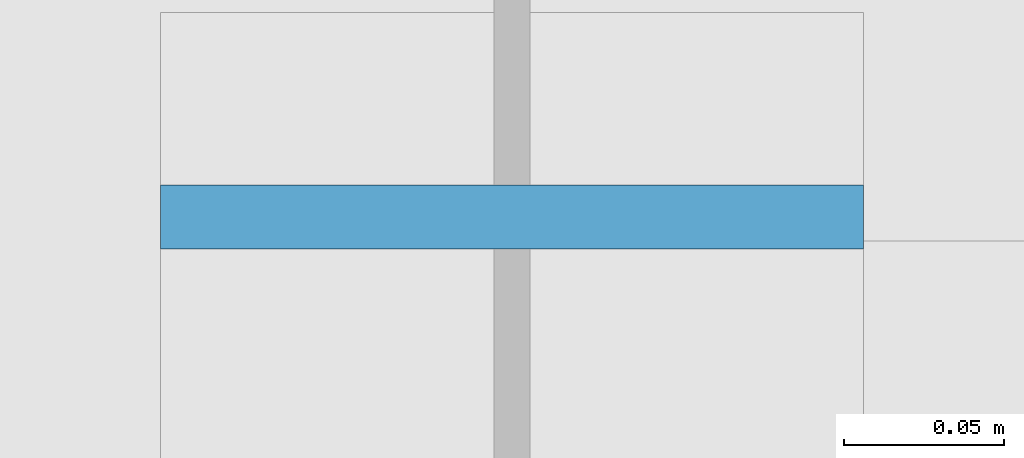
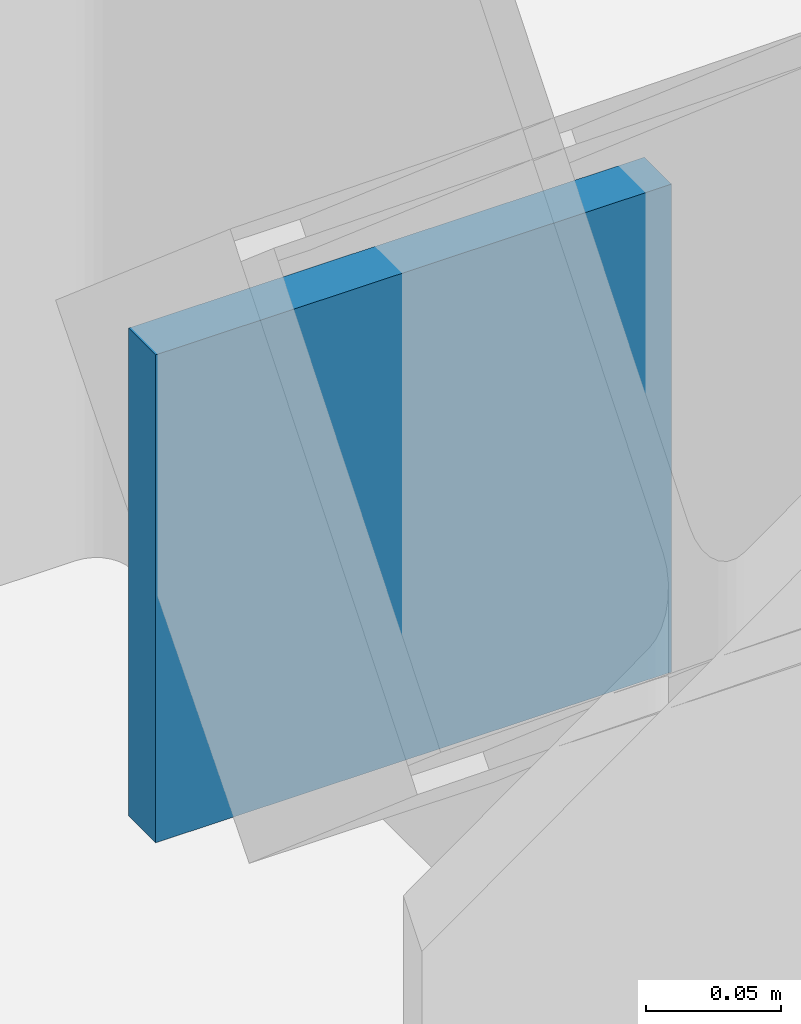
# One storey, part 64 of 85: 1 plate.
"""IFC4 building model written with IfcOpenShell, lengths in metres."""

from ifc_helpers import new_model, si_unit, derived_unit, direction, frame, origin, origin_2d, place, context, subcontext, project, spatial, rectangle, extrude, material, layer, layer_set, type_object, element, save


model = new_model("IFC4")

# Units and contexts
model_context = context("Model", 3, precision=1e-05, world=origin(), true_north=direction((0.0, 1.0)))
body_context = subcontext(model_context, "Body", "Model", "MODEL_VIEW")
ifc_project = project(units=[si_unit("LENGTHUNIT", "METRE"), si_unit("AREAUNIT", "SQUARE_METRE"), si_unit("VOLUMEUNIT", "CUBIC_METRE"), si_unit("PLANEANGLEUNIT", "RADIAN"), si_unit("MASSUNIT", "GRAM", prefix="KILO"), derived_unit("THERMALTRANSMITTANCEUNIT", [(si_unit("POWERUNIT", "WATT"), 1), (si_unit("LENGTHUNIT", "METRE"), -2), (si_unit("THERMODYNAMICTEMPERATUREUNIT", "KELVIN"), -1)])], contexts=[model_context])

# Site, building, storey
site_placement = place(None, origin())
site = spatial("IfcSite", under=ifc_project, at=site_placement, CompositionType="ELEMENT")
building_placement = place(site_placement, origin())
building = spatial("IfcBuilding", under=site, at=building_placement, Name="Nallur Shell Playhouse", CompositionType="ELEMENT")
storey_placement = place(building_placement, frame((0.0, 0.0, 19.800048828125)))
storey = spatial("IfcBuildingStorey", under=building, at=storey_placement, Name="L05", CompositionType="ELEMENT", Elevation=19.800048828125)

# Plate
ifc_material = material(Name="Steel E350", Category="steel")
ifc_layer = layer(ifc_material, 0.02001953125)
ifc_layer_set = layer_set([ifc_layer], Name="Steel E350")
plate_type = type_object("IfcPlateType", Name="PT-ENDCAP-20", PredefinedType="SHEET", material=ifc_layer_set)
plate_placement = place(storey_placement, frame((64.0, 65.007568359375, 0.03369140625), z_axis=(0.0, 0.0, 1.0), x_axis=(1.0, 0.0, 0.0)))
element("IfcPlate", 1, at=plate_placement, inside=storey, type_object=plate_type, Name="Hollow end cap EC-BR-FT-L05-034-0", PredefinedType="SHEET", context=body_context, shape_type="SweptSolid", body=[
    extrude(rectangle(XDim=0.219970703125, YDim=0.02001953125, at=origin_2d()), origin(), (0.0, 0.0, 1.0), 0.219970703125),
])

save(model, "model.ifc")
